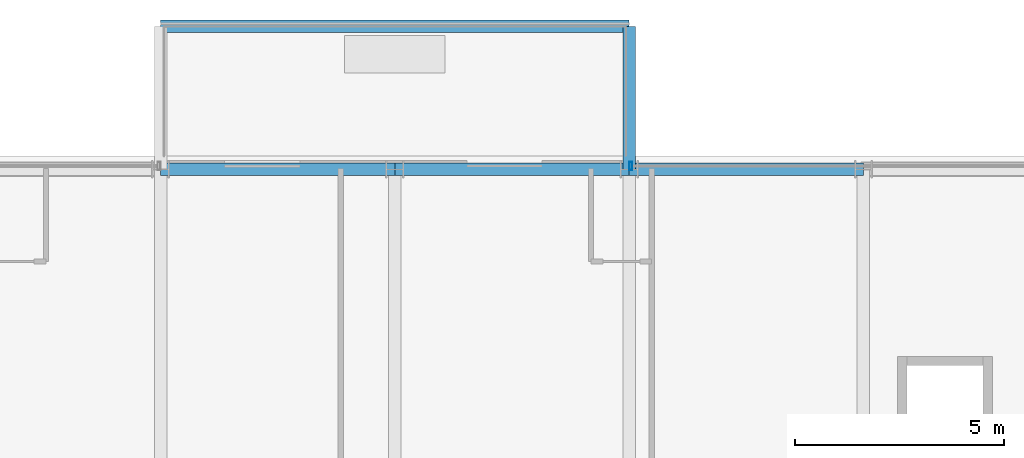
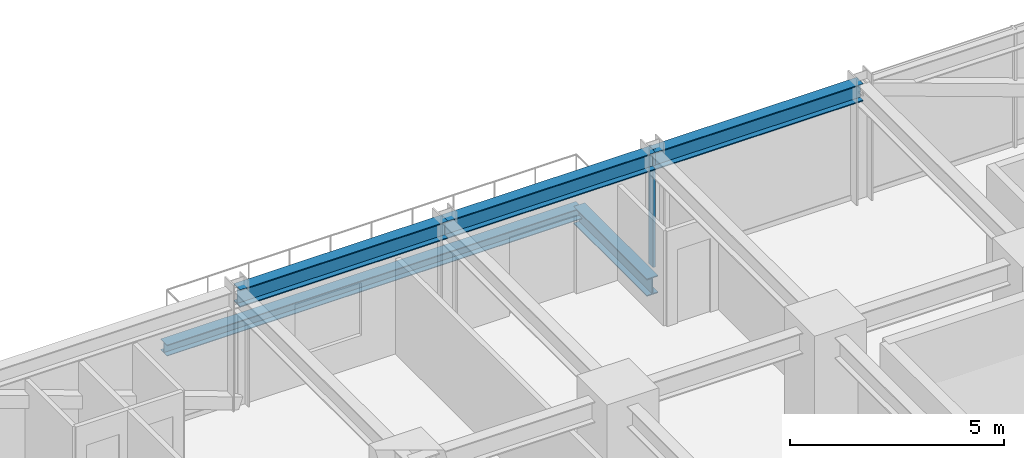
# One storey, part 29 of 47: 5 beams, 1 member, 1 element without a shape of its own.
"""IFC4 building model written with IfcOpenShell, lengths in metres."""

from ifc_helpers import new_model, si_unit, direction, frame, origin, origin_2d, place, context, subcontext, project, spatial, hollow_rectangle, i_section, extrude, source, transform, mapped, material, material_profile, profile_set, type_object, element, aggregate, save


model = new_model("IFC4")

# Units and contexts
model_context = context("Model", 3, precision=1e-05, world=origin(), true_north=direction((0.0, 1.0)))
body_context = subcontext(model_context, "Body", "Model", "MODEL_VIEW")
ifc_project = project(units=[si_unit("LENGTHUNIT", "METRE"), si_unit("AREAUNIT", "SQUARE_METRE"), si_unit("VOLUMEUNIT", "CUBIC_METRE"), si_unit("PLANEANGLEUNIT", "RADIAN"), si_unit("MASSUNIT", "GRAM", prefix="KILO")], contexts=[model_context])

# Site, building, storey
site_placement = place(None, origin())
site = spatial("IfcSite", under=ifc_project, at=site_placement, CompositionType="ELEMENT")
building_placement = place(site_placement, origin())
building = spatial("IfcBuilding", under=site, at=building_placement, Name="Nahalor Promenade Grand Hotel", CompositionType="ELEMENT")
storey_placement = place(building_placement, frame((0.0, 0.0, 68.89990234375)))
storey = spatial("IfcBuildingStorey", under=building, at=storey_placement, Name="L16", CompositionType="ELEMENT", Elevation=68.89990234375)

# Beams
ifc_material_1 = material(Name="Steel S355JR", Category="steel")
ifc_material_profile_1 = material_profile(ifc_material_1, i_section(OverallWidth=0.3, OverallDepth=0.32, WebThickness=0.0115, FlangeThickness=0.0205, at=origin_2d()), Name="HEB 320")
ifc_profile_set_1 = profile_set([ifc_material_profile_1], Name="Steel S355JR")
beam_type_1 = type_object("IfcBeamType", Name="Beam-BalcEdge-HEB320", PredefinedType="SPANDREL", material=ifc_profile_set_1)
shared_shape_1 = source(origin(), body_context, "Body", "SweptSolid", [
    extrude(i_section(OverallWidth=0.3, OverallDepth=0.32, WebThickness=0.0115, FlangeThickness=0.0205, at=origin_2d()), origin(), (0.0, 0.0, 1.0), 11.199951171875),
])
beam_1_placement = place(storey_placement, frame((-8.39990234375, 28.5, -0.43994140625), z_axis=(1.0, 0.0, 0.0), x_axis=(0.0, 1.0, 0.0)))
element("IfcBeam", 1, at=beam_1_placement, inside=storey, type_object=beam_type_1, Name="BM-L16-BC-01-F", PredefinedType="SPANDREL", context=body_context, shape_type="MappedRepresentation", body=[
    mapped(shared_shape_1, transform((0.0, 0.0, 0.0), scale=1.0)),
])
ifc_material_profile_2 = material_profile(ifc_material_1, i_section(OverallWidth=0.3, OverallDepth=0.5, WebThickness=0.0145, FlangeThickness=0.028, at=origin_2d()), Name="HEB 500")
ifc_profile_set_2 = profile_set([ifc_material_profile_2], Name="Steel S355JR")
beam_type_2 = type_object("IfcBeamType", Name="Beam-Outrigger-HEB500", PredefinedType="BEAM", material=ifc_profile_set_2)
shared_shape_2 = source(origin(), body_context, "Body", "SweptSolid", [
    extrude(i_section(OverallWidth=0.3, OverallDepth=0.5, WebThickness=0.0145, FlangeThickness=0.028, at=origin_2d()), origin(), (0.0, 0.0, 1.0), 3.419921875),
])
beam_2_placement = place(storey_placement, frame((2.800048828125, 25.080078125, -0.52978515625), z_axis=(0.0, 1.0, 0.0), x_axis=(-1.0, 0.0, 0.0)))
element("IfcBeam", 2, at=beam_2_placement, inside=storey, type_object=beam_type_2, Name="BM-L16-BC-01-2", PredefinedType="BEAM", context=body_context, shape_type="MappedRepresentation", body=[
    mapped(shared_shape_2, transform((0.0, 0.0, 0.0), scale=1.0)),
])
ifc_material_profile_3 = material_profile(ifc_material_1, i_section(OverallWidth=0.3, OverallDepth=0.5, WebThickness=0.0145, FlangeThickness=0.028, at=origin_2d()), Name="HEB 500")
ifc_profile_set_3 = profile_set([ifc_material_profile_3], Name="Steel S355JR")
beam_type_3 = type_object("IfcBeamType", Name="Beam-Spandrel-HEB500", PredefinedType="SPANDREL", material=ifc_profile_set_3)
shared_shape_3 = source(origin(), body_context, "Body", "SweptSolid", [
    extrude(i_section(OverallWidth=0.3, OverallDepth=0.5, WebThickness=0.0145, FlangeThickness=0.028, at=origin_2d()), origin(), (0.0, 0.0, 1.0), 5.599853515625),
])
for number, where, z_axis, x_axis, name in (
    (3, (-8.39990234375, 25.080078125, 3.1201171875), (1.0, 0.0, 0.0), (0.0, 1.0, 0.0), "BM-L16-SP-N-1"),
    (4, (2.800048828125, 25.080078125, 3.1201171875), (1.0, 0.0, 0.0), (0.0, 1.0, 0.0), "BM-L16-SP-N-3"),
):
    element("IfcBeam", number, at=place(storey_placement, frame(where, z_axis=z_axis, x_axis=x_axis)), inside=storey, type_object=beam_type_3, Name=name, PredefinedType="SPANDREL", context=body_context, shape_type="MappedRepresentation", body=[
        mapped(shared_shape_3, transform((0.0, 0.0, 0.0), scale=1.0)),
    ])
shared_shape_4 = source(origin(), body_context, "Body", "SweptSolid", [
    extrude(i_section(OverallWidth=0.3, OverallDepth=0.5, WebThickness=0.0145, FlangeThickness=0.028, at=origin_2d()), origin(), (0.0, 0.0, 1.0), 5.60009765625),
])
beam_3_placement = place(storey_placement, frame((-2.800048828125, 25.080078125, 3.1201171875), z_axis=(1.0, 0.0, 0.0), x_axis=(0.0, 1.0, 0.0)))
element("IfcBeam", 5, at=beam_3_placement, inside=storey, type_object=beam_type_3, Name="BM-L16-SP-N-2", PredefinedType="SPANDREL", context=body_context, shape_type="MappedRepresentation", body=[
    mapped(shared_shape_4, transform((0.0, 0.0, 0.0), scale=1.0)),
])

# Curtain wall, member
ifc_material_2 = material(Name="Anodised Bronze Aluminium EN AW-6063 T6", Category="aluminium")
curtain_wall_type = type_object("IfcCurtainWallType", Name="CW3 Elliptical-Void Collar Unitised Curtain Wall", PredefinedType="USERDEFINED", material=ifc_material_2)
curtain_wall_placement = place(storey_placement, origin())
curtain_wall = element("IfcCurtainWall", 6, at=curtain_wall_placement, inside=storey, type_object=curtain_wall_type, Name="L16 Curtain Wall CW-L16-N-3", ObjectType="UNITISED_CURTAIN_WALL", PredefinedType="USERDEFINED")
ifc_material_profile_4 = material_profile(ifc_material_2, hollow_rectangle(XDim=0.07, YDim=0.2, WallThickness=0.005, at=origin_2d()), Name="CWM 70x200x5")
ifc_profile_set_4 = profile_set([ifc_material_profile_4], Name="Anodised Bronze Aluminium EN AW-6063 T6")
member_type = type_object("IfcMemberType", Name="CWM3 Void Collar Mullion 70x200", PredefinedType="MULLION", material=ifc_profile_set_4)
shared_shape_5 = source(origin(), body_context, "Body", "SweptSolid", [
    extrude(hollow_rectangle(XDim=0.07, YDim=0.2, WallThickness=0.005, at=origin_2d()), origin(), (0.0, 0.0, 1.0), 3.3701171875),
])
member_placement = place(storey_placement, frame((2.8349609375, 25.159912109375, 0.0), z_axis=(0.0, 0.0, 1.0), x_axis=(1.0, 0.0, 0.0)))
member = element("IfcMember", 7, at=member_placement, type_object=member_type, Name="CW-L16-N-3 Mullion 0", PredefinedType="MULLION", context=body_context, shape_type="MappedRepresentation", body=[
    mapped(shared_shape_5, transform((0.0, 0.0, 0.0), scale=1.0)),
])
aggregate(curtain_wall, [member])

save(model, "model.ifc")
